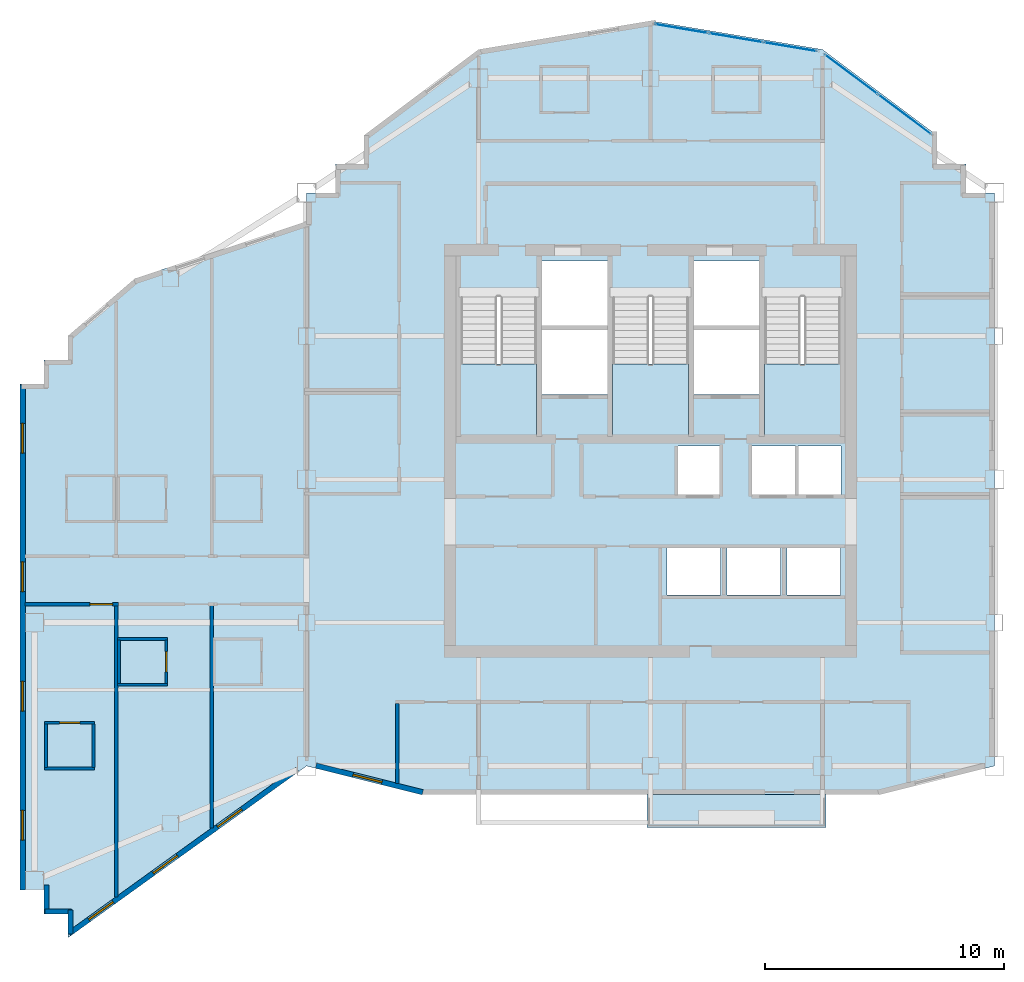
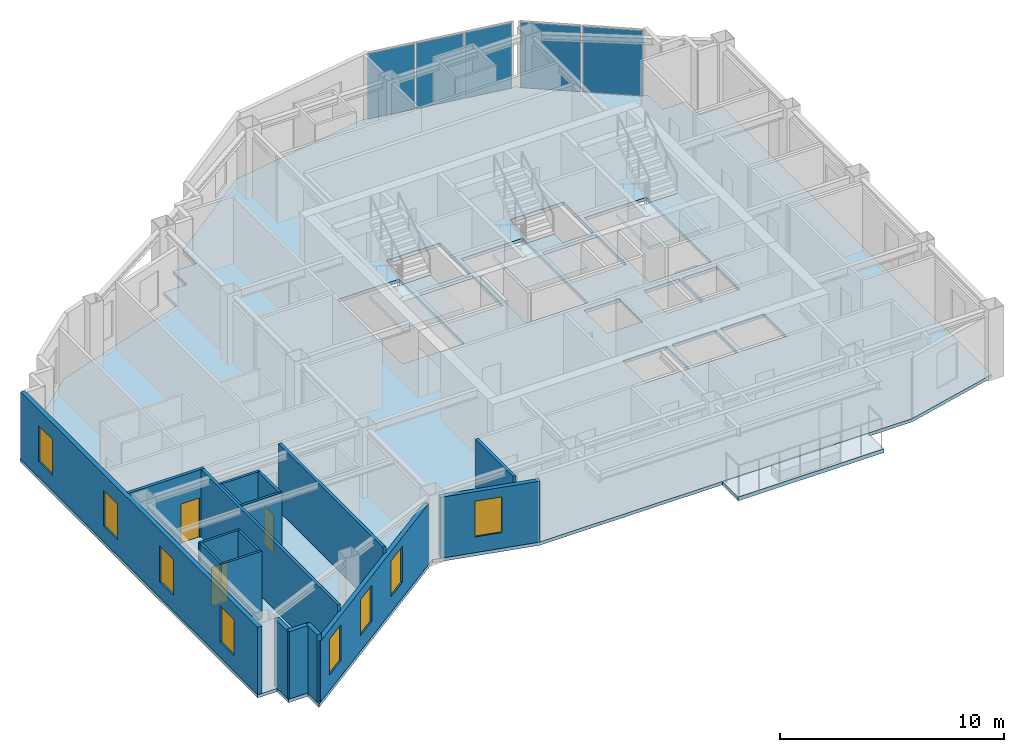
# One storey, part 4 of 10: 18 walls, 8 windows, 5 plates, 5 slabs, 3 doors, 11 openings, 5 elements without a shape of their own.
"""IFC4 building model written with IfcOpenShell, lengths in metres."""

from ifc_helpers import new_model, si_unit, direction, frame, frame_2d, origin, origin_2d, place, context, subcontext, project, spatial, polyline, rectangle, outline, extrude, material, layer, layer_set, type_object, element, fill, aggregate, save


model = new_model("IFC4")

# Units and contexts
model_context = context("Model", 3, precision=1e-05, world=origin(), true_north=direction((0.0, 1.0)))
body_context = subcontext(model_context, "Body", "Model", "MODEL_VIEW")
ifc_project = project(units=[si_unit("LENGTHUNIT", "METRE"), si_unit("AREAUNIT", "SQUARE_METRE"), si_unit("VOLUMEUNIT", "CUBIC_METRE"), si_unit("PLANEANGLEUNIT", "RADIAN"), si_unit("MASSUNIT", "GRAM", prefix="KILO")], contexts=[model_context])

# Site, building, storey
site_placement = place(None, origin())
site = spatial("IfcSite", under=ifc_project, at=site_placement, CompositionType="ELEMENT")
building_placement = place(site_placement, origin())
building = spatial("IfcBuilding", under=site, at=building_placement, Name="Haolan Belvedere Tower", CompositionType="ELEMENT")
storey_placement = place(building_placement, frame((0.0, 0.0, 258.300048828125)))
storey = spatial("IfcBuildingStorey", under=building, at=storey_placement, Name="L65", CompositionType="ELEMENT", Elevation=258.300048828125)

# Curtain wall, plates
ifc_material_1 = material(Name="Anodised champagne-silver aluminium 6063-T6 and Low-E glass", Category="aluminium")
ifc_layer_1 = layer(ifc_material_1, 0.14501953125, Name="Anodised champagne-silver aluminium 6063-T6 and Low-E glass")
ifc_layer_set_1 = layer_set([ifc_layer_1], Name="Anodised champagne-silver aluminium 6063-T6 and Low-E glass")
curtain_wall_type = type_object("IfcCurtainWallType", Name="CW-SYS-05", PredefinedType="NOTDEFINED", material=ifc_layer_set_1)
curtain_wall_1_placement = place(storey_placement, origin())
curtain_wall_1 = element("IfcCurtainWall", 1, at=curtain_wall_1_placement, inside=storey, type_object=curtain_wall_type, Name="L65 CW-SYS-05 ribbon curtain wall 8.1", PredefinedType="NOTDEFINED")
ifc_material_2 = material(Name="Double silver Low-E laminated insulating glass", Category="glass")
ifc_layer_2 = layer(ifc_material_2, 0.02197265625, Name="Double silver Low-E laminated insulating glass")
ifc_layer_set_2 = layer_set([ifc_layer_2], Name="Double silver Low-E laminated insulating glass")
plate_type = type_object("IfcPlateType", Name="CW-SYS-05-PNL", PredefinedType="CURTAIN_PANEL", material=ifc_layer_set_2)
plate_1_placement = place(storey_placement, frame((49.03955078125, 48.8828125, 0.0498046875), z_axis=(0.0, 0.0, 1.0), x_axis=(-0.799997871638, 0.600002837806, 0.0)))
plate_1 = element("IfcPlate", 2, at=plate_1_placement, type_object=plate_type, Name="CW-05 panel 1.1", PredefinedType="CURTAIN_PANEL", context=body_context, shape_type="SweptSolid", body=[
    extrude(rectangle(XDim=2.738037109375, YDim=0.02197265625, at=origin_2d()), origin(), (0.0, 0.0, 1.0), 3.570068359375),
])
plate_2_placement = place(storey_placement, frame((46.805908203125, 50.55810546875, 0.0498046875), z_axis=(0.0, 0.0, 1.0), x_axis=(-0.799997871638, 0.600002837806, 0.0)))
plate_2 = element("IfcPlate", 3, at=plate_2_placement, type_object=plate_type, Name="CW-05 panel 2.1", PredefinedType="CURTAIN_PANEL", context=body_context, shape_type="SweptSolid", body=[
    extrude(rectangle(XDim=2.738037109375, YDim=0.02197265625, at=origin_2d()), origin(), (0.0, 0.0, 1.0), 3.570068359375),
])
aggregate(curtain_wall_1, [plate_1, plate_2])

curtain_wall_2_placement = place(storey_placement, origin())
curtain_wall_2 = element("IfcCurtainWall", 4, at=curtain_wall_2_placement, inside=storey, type_object=curtain_wall_type, Name="L65 CW-SYS-05 ribbon curtain wall 9.1", PredefinedType="NOTDEFINED")
plate_3_placement = place(storey_placement, frame((44.257568359375, 51.712158203125, 0.0498046875), z_axis=(0.0, 0.0, 1.0), x_axis=(-0.98639276122, 0.164405962825, 0.0)))
plate_3 = element("IfcPlate", 5, at=plate_3_placement, type_object=plate_type, Name="CW-05 panel 1.1", PredefinedType="CURTAIN_PANEL", context=body_context, shape_type="SweptSolid", body=[
    extrude(rectangle(XDim=2.24365234375, YDim=0.02197265625, at=origin_2d()), origin(), (0.0, 0.0, 1.0), 3.570068359375),
])
plate_4_placement = place(storey_placement, frame((41.977783203125, 52.09228515625, 0.0498046875), z_axis=(0.0, 0.0, 1.0), x_axis=(-0.98639276122, 0.164405962825, 0.0)))
plate_4 = element("IfcPlate", 6, at=plate_4_placement, type_object=plate_type, Name="CW-05 panel 2.1", PredefinedType="CURTAIN_PANEL", context=body_context, shape_type="SweptSolid", body=[
    extrude(rectangle(XDim=2.270751953125, YDim=0.02197265625, at=origin_2d()), origin(), (0.0, 0.0, 1.0), 3.570068359375),
])
plate_5_placement = place(storey_placement, frame((39.697998046875, 52.47216796875, 0.0498046875), z_axis=(0.0, 0.0, 1.0), x_axis=(-0.98639276122, 0.164405962825, 0.0)))
plate_5 = element("IfcPlate", 7, at=plate_5_placement, type_object=plate_type, Name="CW-05 panel 3.1", PredefinedType="CURTAIN_PANEL", context=body_context, shape_type="SweptSolid", body=[
    extrude(rectangle(XDim=2.24365234375, YDim=0.02197265625, at=origin_2d()), origin(), (0.0, 0.0, 1.0), 3.570068359375),
])
aggregate(curtain_wall_2, [plate_3, plate_4, plate_5])

# Slabs
ifc_material_3 = material(Name="Concrete C40/50", Category="concrete")
ifc_layer_3 = layer(ifc_material_3, 0.2099609375, Name="Concrete C40/50")
ifc_layer_set_3 = layer_set([ifc_layer_3], Name="Concrete C40/50")
slab_type_1 = type_object("IfcSlabType", Name="SL-BAL-210", PredefinedType="FLOOR", material=ifc_layer_set_3)
slab_1_placement = place(storey_placement, frame((0.0, 0.0, -0.22998046875)))
element("IfcSlab", 8, at=slab_1_placement, inside=storey, type_object=slab_type_1, Name="L65 structural tree-planter balcony slab BAL-L65-S1", PredefinedType="FLOOR", context=body_context, shape_type="SweptSolid", body=[
    extrude(outline(polyline([(38.25, 19.02001953125), (45.75, 19.02001953125), (45.75, 20.39990234375), (38.25, 20.39990234375), (38.25, 19.02001953125)])), origin(), (0.0, 0.0, 1.0), 0.2099609375),
])
ifc_layer_4 = layer(ifc_material_3, 0.179931640625, Name="Concrete C40/50")
ifc_layer_set_4 = layer_set([ifc_layer_4], Name="Concrete C40/50")
slab_type_2 = type_object("IfcSlabType", Name="SL-FLR-180", PredefinedType="FLOOR", material=ifc_layer_set_4)
slab_2_placement = place(storey_placement, frame((0.0, 0.0, -0.179931640625)))
element("IfcSlab", 9, at=slab_2_placement, inside=storey, type_object=slab_type_2, Name="L65 structural floor slab", PredefinedType="FLOOR", context=body_context, shape_type="SweptSolid", body=[
    extrude(outline(polyline([(24.0, 21.60009765625), (28.800048828125, 20.39990234375), (48.0, 20.39990234375), (52.800048828125, 21.60009765625), (52.800048828125, 45.60009765625), (51.60009765625, 45.60009765625), (51.60009765625, 46.800048828125), (50.39990234375, 46.800048828125), (50.39990234375, 48.0), (45.60009765625, 51.60009765625), (38.39990234375, 52.800048828125), (31.199951171875, 51.60009765625), (26.39990234375, 48.0), (26.39990234375, 46.800048828125), (25.199951171875, 46.800048828125), (25.199951171875, 45.60009765625), (24.0, 45.60009765625), (24.0, 44.39990234375), (16.800048828125, 42.0), (14.0, 39.60009765625), (14.0, 38.60009765625), (13.0, 38.60009765625), (13.0, 37.60009765625), (12.0, 37.60009765625), (12.0, 16.800048828125), (12.0, 16.39990234375), (13.0, 16.39990234375), (13.0, 15.39990234375), (14.0, 15.39990234375), (14.0, 14.39990234375), (24.0, 21.60009765625)]), holes=[polyline([(30.449951171875, 41.22998046875), (30.449951171875, 35.449951171875), (33.6298828125, 35.449951171875), (33.6298828125, 41.22998046875), (30.449951171875, 41.22998046875)]), polyline([(36.81005859375, 41.22998046875), (36.81005859375, 35.449951171875), (39.989990234375, 35.449951171875), (39.989990234375, 41.22998046875), (36.81005859375, 41.22998046875)]), polyline([(43.169921875, 41.22998046875), (43.169921875, 35.449951171875), (46.35009765625, 35.449951171875), (46.35009765625, 41.22998046875), (43.169921875, 41.22998046875)]), polyline([(33.830078125, 40.050048828125), (36.610107421875, 40.050048828125), (36.610107421875, 42.75), (33.830078125, 42.75), (33.830078125, 40.050048828125)]), polyline([(33.830078125, 37.14990234375), (36.610107421875, 37.14990234375), (36.610107421875, 39.85009765625), (33.830078125, 39.85009765625), (33.830078125, 37.14990234375)]), polyline([(40.18994140625, 40.050048828125), (42.969970703125, 40.050048828125), (42.969970703125, 42.75), (40.18994140625, 42.75), (40.18994140625, 40.050048828125)]), polyline([(40.18994140625, 37.14990234375), (42.969970703125, 37.14990234375), (42.969970703125, 39.85009765625), (40.18994140625, 39.85009765625), (40.18994140625, 37.14990234375)]), polyline([(39.5400390625, 32.949951171875), (41.389892578125, 32.949951171875), (41.389892578125, 35.0), (39.5400390625, 35.0), (39.5400390625, 32.949951171875)]), polyline([(42.6201171875, 32.949951171875), (44.469970703125, 32.949951171875), (44.469970703125, 35.0), (42.6201171875, 35.0), (42.6201171875, 32.949951171875)]), polyline([(44.580078125, 32.949951171875), (46.3798828125, 32.949951171875), (46.3798828125, 35.0), (44.580078125, 35.0), (44.580078125, 32.949951171875)]), polyline([(39.10009765625, 28.75), (41.340087890625, 28.75), (41.340087890625, 30.75), (39.10009765625, 30.75), (39.10009765625, 28.75)]), polyline([(41.610107421875, 28.75), (43.85009765625, 28.75), (43.85009765625, 30.75), (41.610107421875, 30.75), (41.610107421875, 28.75)]), polyline([(44.1201171875, 28.75), (46.360107421875, 28.75), (46.360107421875, 30.75), (44.1201171875, 30.75), (44.1201171875, 28.75)])]), origin(), (0.0, 0.0, 1.0), 0.179931640625),
])

# Stair, slab
stair_type = type_object("IfcStairType", Name="STR-DL-22R-175", PredefinedType="HALF_TURN_STAIR", material=ifc_material_3)
stair_1_placement = place(storey_placement, origin())
stair_1 = element("IfcStair", 10, at=stair_1_placement, inside=storey, type_object=stair_type, Name="L65 Smokeproof Core Exit Stair ST1", PredefinedType="HALF_TURN_STAIR")
ifc_layer_5 = layer(ifc_material_3, 0.199951171875, Name="Concrete C40/50")
ifc_layer_set_5 = layer_set([ifc_layer_5], Name="Concrete C40/50")
slab_type_3 = type_object("IfcSlabType", Name="SL-LAND-200", PredefinedType="LANDING", material=ifc_layer_set_5)
slab_3_placement = place(storey_placement, frame((0.0, 0.0, 1.724853515625)))
slab_3 = element("IfcSlab", 11, at=slab_3_placement, type_object=slab_type_3, Name="ST1 landing 1", PredefinedType="LANDING", context=body_context, shape_type="SweptSolid", body=[
    extrude(outline(polyline([(30.449951171875, 38.429931640625), (30.449951171875, 35.449951171875), (33.6298828125, 35.449951171875), (33.6298828125, 38.429931640625), (30.449951171875, 38.429931640625)])), origin(), (0.0, 0.0, 1.0), 0.2001953125),
])
aggregate(stair_1, [slab_3])

stair_2_placement = place(storey_placement, origin())
stair_2 = element("IfcStair", 12, at=stair_2_placement, inside=storey, type_object=stair_type, Name="L65 Smokeproof Core Exit Stair ST3", PredefinedType="HALF_TURN_STAIR")
slab_4_placement = place(storey_placement, frame((0.0, 0.0, 1.724853515625)))
slab_4 = element("IfcSlab", 13, at=slab_4_placement, type_object=slab_type_3, Name="ST3 landing 1", PredefinedType="LANDING", context=body_context, shape_type="SweptSolid", body=[
    extrude(outline(polyline([(36.81005859375, 38.429931640625), (36.81005859375, 35.449951171875), (39.989990234375, 35.449951171875), (39.989990234375, 38.429931640625), (36.81005859375, 38.429931640625)])), origin(), (0.0, 0.0, 1.0), 0.2001953125),
])
aggregate(stair_2, [slab_4])

stair_3_placement = place(storey_placement, origin())
stair_3 = element("IfcStair", 14, at=stair_3_placement, inside=storey, type_object=stair_type, Name="L65 Smokeproof Core Exit Stair ST2", PredefinedType="HALF_TURN_STAIR")
slab_5_placement = place(storey_placement, frame((0.0, 0.0, 1.724853515625)))
slab_5 = element("IfcSlab", 15, at=slab_5_placement, type_object=slab_type_3, Name="ST2 landing 1", PredefinedType="LANDING", context=body_context, shape_type="SweptSolid", body=[
    extrude(outline(polyline([(43.169921875, 38.429931640625), (43.169921875, 35.449951171875), (46.35009765625, 35.449951171875), (46.35009765625, 38.429931640625), (43.169921875, 38.429931640625)])), origin(), (0.0, 0.0, 1.0), 0.2001953125),
])
aggregate(stair_3, [slab_5])

# Wall, openings, windows
ifc_material_4 = material(Name="Precast concrete C40/50", Category="concrete")
ifc_layer_6 = layer(ifc_material_4, 0.219970703125, Name="Precast concrete C40/50")
ifc_layer_set_6 = layer_set([ifc_layer_6], Name="Precast concrete C40/50")
wall_type_1 = type_object("IfcWallType", Name="WL-EXT-220", PredefinedType="SOLIDWALL", material=ifc_layer_set_6)
wall_1_placement = place(storey_placement, frame((12.110107421875, 37.544921875, 0.0), z_axis=(0.0, 0.0, 1.0), x_axis=(0.0, -1.0, 0.0)))
wall_1 = element("IfcWall", 16, at=wall_1_placement, inside=storey, type_object=wall_type_1, Name="L65 pale-metal exterior spandrel wall 23.1", PredefinedType="SOLIDWALL", context=body_context, shape_type="SweptSolid", body=[
    extrude(rectangle(XDim=21.14501953125, YDim=0.219970703125, at=frame_2d((10.572509765625, 0.0))), origin(), (0.0, 0.0, 1.0), 3.669921875),
])
opening_1_placement = place(wall_1_placement, frame((1.60009765625, 0.0, 0.85009765625)))
opening_1 = element("IfcOpeningElement", 17, at=opening_1_placement, cuts=wall_1, Name="Opening W-04", PredefinedType="OPENING", context=body_context, shape_type="SweptSolid", body=[
    extrude(rectangle(XDim=1.25, YDim=1.949951171875, at=frame_2d((0.625, 0.97509765625))), frame((0.0, 0.119873046875, 0.0), z_axis=(0.0, -1.0, 0.0), x_axis=(1.0, 0.0, 0.0)), (0.0, 0.0, 1.0), 0.239990234375),
])
opening_2_placement = place(wall_1_placement, frame((7.39990234375, 0.0, 0.85009765625)))
opening_2 = element("IfcOpeningElement", 18, at=opening_2_placement, cuts=wall_1, Name="Opening W-04", PredefinedType="OPENING", context=body_context, shape_type="SweptSolid", body=[
    extrude(rectangle(XDim=1.25, YDim=1.949951171875, at=frame_2d((0.625, 0.97509765625))), frame((0.0, 0.119873046875, 0.0), z_axis=(0.0, -1.0, 0.0), x_axis=(1.0, 0.0, 0.0)), (0.0, 0.0, 1.0), 0.239990234375),
])
opening_3_placement = place(wall_1_placement, frame((12.39990234375, 0.0, 0.85009765625)))
opening_3 = element("IfcOpeningElement", 19, at=opening_3_placement, cuts=wall_1, Name="Opening W-04", PredefinedType="OPENING", context=body_context, shape_type="SweptSolid", body=[
    extrude(rectangle(XDim=1.25, YDim=1.949951171875, at=frame_2d((0.625, 0.97509765625))), frame((0.0, 0.119873046875, 0.0), z_axis=(0.0, -1.0, 0.0), x_axis=(1.0, 0.0, 0.0)), (0.0, 0.0, 1.0), 0.239990234375),
])
opening_4_placement = place(wall_1_placement, frame((17.800048828125, 0.0, 0.85009765625)))
opening_4 = element("IfcOpeningElement", 20, at=opening_4_placement, cuts=wall_1, Name="Opening W-04", PredefinedType="OPENING", context=body_context, shape_type="SweptSolid", body=[
    extrude(rectangle(XDim=1.25, YDim=1.949951171875, at=frame_2d((0.625, 0.97509765625))), frame((0.0, 0.119873046875, 0.0), z_axis=(0.0, -1.0, 0.0), x_axis=(1.0, 0.0, 0.0)), (0.0, 0.0, 1.0), 0.239990234375),
])
ifc_material_5 = material(Name="Anodised aluminium 6063-T6 and Low-E glass", Category="aluminium")
window_type = type_object("IfcWindowType", Name="WN-DECO-Z4", PartitioningType="SINGLE_PANEL", PredefinedType="WINDOW", material=ifc_material_5)
window_1_placement = place(opening_1_placement, origin())
window_1 = element("IfcWindow", 21, at=window_1_placement, inside=storey, type_object=window_type, Name="L65 Art Deco chevron window 1", OverallHeight=1.949951171875, OverallWidth=1.25, PartitioningType="SINGLE_PANEL", PredefinedType="WINDOW", context=body_context, shape_type="SweptSolid", body=[
    extrude(rectangle(XDim=1.25, YDim=1.949951171875, at=frame_2d((0.625, 0.97509765625))), frame((0.0, 0.030029296875, 0.0), z_axis=(0.0, -1.0, 0.0), x_axis=(1.0, 0.0, 0.0)), (0.0, 0.0, 1.0), 0.06005859375),
])
fill(opening_1, window_1)
window_2_placement = place(opening_2_placement, origin())
window_2 = element("IfcWindow", 22, at=window_2_placement, inside=storey, type_object=window_type, Name="L65 Art Deco chevron window 2", OverallHeight=1.949951171875, OverallWidth=1.25, PartitioningType="SINGLE_PANEL", PredefinedType="WINDOW", context=body_context, shape_type="SweptSolid", body=[
    extrude(rectangle(XDim=1.25, YDim=1.949951171875, at=frame_2d((0.625, 0.97509765625))), frame((0.0, 0.030029296875, 0.0), z_axis=(0.0, -1.0, 0.0), x_axis=(1.0, 0.0, 0.0)), (0.0, 0.0, 1.0), 0.06005859375),
])
fill(opening_2, window_2)
window_3_placement = place(opening_3_placement, origin())
window_3 = element("IfcWindow", 23, at=window_3_placement, inside=storey, type_object=window_type, Name="L65 Art Deco chevron window 3", OverallHeight=1.949951171875, OverallWidth=1.25, PartitioningType="SINGLE_PANEL", PredefinedType="WINDOW", context=body_context, shape_type="SweptSolid", body=[
    extrude(rectangle(XDim=1.25, YDim=1.949951171875, at=frame_2d((0.625, 0.97509765625))), frame((0.0, 0.030029296875, 0.0), z_axis=(0.0, -1.0, 0.0), x_axis=(1.0, 0.0, 0.0)), (0.0, 0.0, 1.0), 0.06005859375),
])
fill(opening_3, window_3)
window_4_placement = place(opening_4_placement, origin())
window_4 = element("IfcWindow", 24, at=window_4_placement, inside=storey, type_object=window_type, Name="L65 Art Deco chevron window 4", OverallHeight=1.949951171875, OverallWidth=1.25, PartitioningType="SINGLE_PANEL", PredefinedType="WINDOW", context=body_context, shape_type="SweptSolid", body=[
    extrude(rectangle(XDim=1.25, YDim=1.949951171875, at=frame_2d((0.625, 0.97509765625))), frame((0.0, 0.030029296875, 0.0), z_axis=(0.0, -1.0, 0.0), x_axis=(1.0, 0.0, 0.0)), (0.0, 0.0, 1.0), 0.06005859375),
])
fill(opening_4, window_4)

# Walls
wall_2_placement = place(storey_placement, frame((13.110107421875, 16.6201171875, 0.0), z_axis=(0.0, 0.0, 1.0), x_axis=(0.0, -1.0, 0.0)))
element("IfcWall", 25, at=wall_2_placement, inside=storey, type_object=wall_type_1, Name="L65 pale-metal exterior spandrel wall 25.1", PredefinedType="SOLIDWALL", context=body_context, shape_type="SweptSolid", body=[
    extrude(rectangle(XDim=1.1650390625, YDim=0.219970703125, at=frame_2d((0.58251953125, 0.0))), origin(), (0.0, 0.0, 1.0), 3.669921875),
])
wall_3_placement = place(storey_placement, frame((13.054931640625, 15.510009765625, 0.0), z_axis=(0.0, 0.0, 1.0), x_axis=(1.0, 0.0, 0.0)))
element("IfcWall", 26, at=wall_3_placement, inside=storey, type_object=wall_type_1, Name="L65 pale-metal exterior spandrel wall 26.1", PredefinedType="SOLIDWALL", context=body_context, shape_type="SweptSolid", body=[
    extrude(rectangle(XDim=1.110107421875, YDim=0.219970703125, at=frame_2d((0.55517578125, 0.0))), origin(), (0.0, 0.0, 1.0), 3.669921875),
])
wall_4_placement = place(storey_placement, frame((14.110107421875, 15.56494140625, 0.0), z_axis=(0.0, 0.0, 1.0), x_axis=(0.0, -1.0, 0.0)))
element("IfcWall", 27, at=wall_4_placement, inside=storey, type_object=wall_type_1, Name="L65 pale-metal exterior spandrel wall 27.1", PredefinedType="SOLIDWALL", context=body_context, shape_type="SweptSolid", body=[
    extrude(rectangle(XDim=1.005126953125, YDim=0.219970703125, at=frame_2d((0.50244140625, 0.0))), origin(), (0.0, 0.0, 1.0), 3.669921875),
])

# Wall, openings, windows
wall_5_placement = place(storey_placement, frame((14.0654296875, 14.58251953125, 0.0), z_axis=(0.0, 0.0, 1.0), x_axis=(0.811523708458, 0.584319493608, 0.0)))
wall_5 = element("IfcWall", 28, at=wall_5_placement, inside=storey, type_object=wall_type_1, Name="L65 pale-metal exterior spandrel wall 28.1", PredefinedType="SOLIDWALL", context=body_context, shape_type="SweptSolid", body=[
    extrude(rectangle(XDim=11.7587890625, YDim=0.219970703125, at=frame_2d((5.87939453125, 0.0))), origin(), (0.0, 0.0, 1.0), 3.31494140625),
])
opening_5_placement = place(wall_5_placement, frame((1.00927734375, 0.0, 0.85009765625)))
opening_5 = element("IfcOpeningElement", 29, at=opening_5_placement, cuts=wall_5, Name="Opening W-04", PredefinedType="OPENING", context=body_context, shape_type="SweptSolid", body=[
    extrude(rectangle(XDim=1.25, YDim=1.949951171875, at=frame_2d((0.625, 0.97509765625))), frame((0.0, 0.119873046875, 0.0), z_axis=(0.0, -1.0, 0.0), x_axis=(1.0, 0.0, 0.0)), (0.0, 0.0, 1.0), 0.239990234375),
])
opening_6_placement = place(wall_5_placement, frame((7.64599609375, 0.0, 0.85009765625)))
opening_6 = element("IfcOpeningElement", 30, at=opening_6_placement, cuts=wall_5, Name="Opening W-04", PredefinedType="OPENING", context=body_context, shape_type="SweptSolid", body=[
    extrude(rectangle(XDim=1.25, YDim=1.949951171875, at=frame_2d((0.625, 0.97509765625))), frame((0.0, 0.119873046875, 0.0), z_axis=(0.0, -1.0, 0.0), x_axis=(1.0, 0.0, 0.0)), (0.0, 0.0, 1.0), 0.239990234375),
])
opening_7_placement = place(wall_5_placement, frame((4.32763671875, 0.0, 0.85009765625)))
opening_7 = element("IfcOpeningElement", 31, at=opening_7_placement, cuts=wall_5, Name="Opening W-04", PredefinedType="OPENING", context=body_context, shape_type="SweptSolid", body=[
    extrude(rectangle(XDim=1.25, YDim=1.949951171875, at=frame_2d((0.625, 0.97509765625))), frame((0.0, 0.119873046875, 0.0), z_axis=(0.0, -1.0, 0.0), x_axis=(1.0, 0.0, 0.0)), (0.0, 0.0, 1.0), 0.239990234375),
])
window_5_placement = place(opening_5_placement, origin())
window_5 = element("IfcWindow", 32, at=window_5_placement, inside=storey, type_object=window_type, Name="L65 Art Deco chevron window 1", OverallHeight=1.949951171875, OverallWidth=1.25, PartitioningType="SINGLE_PANEL", PredefinedType="WINDOW", context=body_context, shape_type="SweptSolid", body=[
    extrude(rectangle(XDim=1.25, YDim=1.949951171875, at=frame_2d((0.625, 0.97509765625))), frame((0.0, 0.030029296875, 0.0), z_axis=(0.0, -1.0, 0.0), x_axis=(1.0, 0.0, 0.0)), (0.0, 0.0, 1.0), 0.06005859375),
])
fill(opening_5, window_5)
window_6_placement = place(opening_6_placement, origin())
window_6 = element("IfcWindow", 33, at=window_6_placement, inside=storey, type_object=window_type, Name="L65 Art Deco chevron window 2", OverallHeight=1.949951171875, OverallWidth=1.25, PartitioningType="SINGLE_PANEL", PredefinedType="WINDOW", context=body_context, shape_type="SweptSolid", body=[
    extrude(rectangle(XDim=1.25, YDim=1.949951171875, at=frame_2d((0.625, 0.97509765625))), frame((0.0, 0.030029296875, 0.0), z_axis=(0.0, -1.0, 0.0), x_axis=(1.0, 0.0, 0.0)), (0.0, 0.0, 1.0), 0.06005859375),
])
fill(opening_6, window_6)
window_7_placement = place(opening_7_placement, origin())
window_7 = element("IfcWindow", 34, at=window_7_placement, inside=storey, type_object=window_type, Name="L65 Art Deco guestroom window 2", OverallHeight=1.949951171875, OverallWidth=1.25, PartitioningType="SINGLE_PANEL", PredefinedType="WINDOW", context=body_context, shape_type="SweptSolid", body=[
    extrude(rectangle(XDim=1.25, YDim=1.949951171875, at=frame_2d((0.625, 0.97509765625))), frame((0.0, 0.030029296875, 0.0), z_axis=(0.0, -1.0, 0.0), x_axis=(1.0, 0.0, 0.0)), (0.0, 0.0, 1.0), 0.06005859375),
])
fill(opening_7, window_7)

# Wall, opening, window
wall_6_placement = place(storey_placement, frame((24.39208984375, 21.615478515625, 0.0), z_axis=(0.0, 0.0, 1.0), x_axis=(0.970133159038, -0.242572986408, 0.0)))
wall_6 = element("IfcWall", 35, at=wall_6_placement, inside=storey, type_object=wall_type_1, Name="L65 pale-metal exterior spandrel wall 29.1", PredefinedType="SOLIDWALL", context=body_context, shape_type="SweptSolid", body=[
    extrude(rectangle(XDim=4.612548828125, YDim=0.219970703125, at=frame_2d((2.30615234375, 0.0))), origin(), (0.0, 0.0, 1.0), 3.31494140625),
])
opening_8_placement = place(wall_6_placement, frame((1.60009765625, 0.0, 0.85009765625)))
opening_8 = element("IfcOpeningElement", 36, at=opening_8_placement, cuts=wall_6, Name="Opening W-04", PredefinedType="OPENING", context=body_context, shape_type="SweptSolid", body=[
    extrude(rectangle(XDim=1.25, YDim=1.949951171875, at=frame_2d((0.625, 0.97509765625))), frame((0.0, 0.119873046875, 0.0), z_axis=(0.0, -1.0, 0.0), x_axis=(1.0, 0.0, 0.0)), (0.0, 0.0, 1.0), 0.239990234375),
])
window_8_placement = place(opening_8_placement, origin())
window_8 = element("IfcWindow", 37, at=window_8_placement, inside=storey, type_object=window_type, Name="L65 Art Deco chevron window 1", OverallHeight=1.949951171875, OverallWidth=1.25, PartitioningType="SINGLE_PANEL", PredefinedType="WINDOW", context=body_context, shape_type="SweptSolid", body=[
    extrude(rectangle(XDim=1.25, YDim=1.949951171875, at=frame_2d((0.625, 0.97509765625))), frame((0.0, 0.030029296875, 0.0), z_axis=(0.0, -1.0, 0.0), x_axis=(1.0, 0.0, 0.0)), (0.0, 0.0, 1.0), 0.06005859375),
])
fill(opening_8, window_8)

# Wall
ifc_material_6 = material(Name="Double gypsum acoustic stud partition", Category="masonry")
ifc_layer_7 = layer(ifc_material_6, 0.14990234375, Name="Double gypsum acoustic stud partition")
ifc_layer_set_7 = layer_set([ifc_layer_7], Name="Double gypsum acoustic stud partition")
wall_type_2 = type_object("IfcWallType", Name="WL-PART-150", PredefinedType="PARTITIONING", material=ifc_layer_set_7)
wall_7_placement = place(storey_placement, frame((27.800048828125, 20.868408203125, 0.0), z_axis=(0.0, 0.0, 1.0), x_axis=(0.0, 1.0, 0.0)))
element("IfcWall", 38, at=wall_7_placement, inside=storey, type_object=wall_type_2, Name="L65 interior partition IW-L65-KS2-W", PredefinedType="PARTITIONING", context=body_context, shape_type="SweptSolid", body=[
    extrude(rectangle(XDim=3.3515625, YDim=0.14990234375, at=frame_2d((1.67578125, 0.0))), origin(), (0.0, 0.0, 1.0), 3.669921875),
])

# Wall, opening, door
wall_8_placement = place(storey_placement, frame((12.2119140625, 28.3701171875, 0.0), z_axis=(0.0, 0.0, 1.0), x_axis=(1.0, 0.0, 0.0)))
wall_8 = element("IfcWall", 39, at=wall_8_placement, inside=storey, type_object=wall_type_2, Name="L65 interior partition IW-L65-T2S1-N", PredefinedType="PARTITIONING", context=body_context, shape_type="SweptSolid", body=[
    extrude(rectangle(XDim=3.91796875, YDim=0.14990234375, at=frame_2d((1.958984375, 0.0))), origin(), (0.0, 0.0, 1.0), 3.669921875),
])
opening_9_placement = place(wall_8_placement, frame((3.663330078125, 0.0, 0.0), z_axis=(0.0, 0.0, 1.0), x_axis=(-1.0, 0.0, 0.0)))
opening_9 = element("IfcOpeningElement", 40, at=opening_9_placement, cuts=wall_8, Name="Opening ID-02", PredefinedType="OPENING", context=body_context, shape_type="SweptSolid", body=[
    extrude(rectangle(XDim=0.949951171875, YDim=2.14990234375, at=frame_2d((0.47509765625, 1.074951171875))), frame((0.0, 0.0849609375, 0.0), z_axis=(0.0, -1.0, 0.0), x_axis=(1.0, 0.0, 0.0)), (0.0, 0.0, 1.0), 0.169921875),
])
ifc_material_7 = material(Name="Acoustic oak veneer fire-rated timber", Category="wood")
door_type_1 = type_object("IfcDoorType", Name="DR-GUEST-950", OperationType="NOTDEFINED", PredefinedType="DOOR", material=ifc_material_7)
door_1_placement = place(opening_9_placement, origin())
door_1 = element("IfcDoor", 41, at=door_1_placement, inside=storey, type_object=door_type_1, Name="L65 door ID-L65-T2S1-ENT", OperationType="SINGLE_SWING_LEFT", OverallHeight=2.14990234375, OverallWidth=0.949951171875, PredefinedType="DOOR", context=body_context, shape_type="SweptSolid", body=[
    extrude(rectangle(XDim=0.949951171875, YDim=2.14990234375, at=frame_2d((0.47509765625, 1.074951171875))), frame((0.0, 0.02490234375, 0.0), z_axis=(0.0, -1.0, 0.0), x_axis=(1.0, 0.0, 0.0)), (0.0, 0.0, 1.0), 0.050048828125),
])
fill(opening_9, door_1)

# Walls
wall_9_placement = place(storey_placement, frame((16.030029296875, 16.122802734375, 0.0), z_axis=(0.0, 0.0, 1.0), x_axis=(0.0, 1.0, 0.0)))
element("IfcWall", 42, at=wall_9_placement, inside=storey, type_object=wall_type_2, Name="L65 interior partition IW-L65-T2S1-E", PredefinedType="PARTITIONING", context=body_context, shape_type="SweptSolid", body=[
    extrude(rectangle(XDim=12.187255859375, YDim=0.14990234375, at=frame_2d((6.09375, 0.0))), origin(), (0.0, 0.0, 1.0), 3.669921875),
])
wall_10_placement = place(storey_placement, frame((20.02001953125, 18.99560546875, 0.0), z_axis=(0.0, 0.0, 1.0), x_axis=(0.0, 1.0, 0.0)))
element("IfcWall", 43, at=wall_10_placement, inside=storey, type_object=wall_type_2, Name="L65 interior partition IW-L65-T2S2-E", PredefinedType="PARTITIONING", context=body_context, shape_type="SweptSolid", body=[
    extrude(rectangle(XDim=9.314453125, YDim=0.14990234375, at=frame_2d((4.6572265625, 0.0))), origin(), (0.0, 0.0, 1.0), 3.669921875),
])

# Wall, opening, door
ifc_material_8 = material(Name="Moisture-resistant gypsum tile partition", Category="masonry")
ifc_layer_8 = layer(ifc_material_8, 0.1201171875, Name="Moisture-resistant gypsum tile partition")
ifc_layer_set_8 = layer_set([ifc_layer_8], Name="Moisture-resistant gypsum tile partition")
wall_type_3 = type_object("IfcWallType", Name="WL-WET-120", PredefinedType="PARTITIONING", material=ifc_layer_set_8)
wall_11_placement = place(storey_placement, frame((13.030029296875, 23.409912109375, 0.0), z_axis=(0.0, 0.0, 1.0), x_axis=(1.0, 0.0, 0.0)))
wall_11 = element("IfcWall", 44, at=wall_11_placement, inside=storey, type_object=wall_type_3, Name="L65 interior partition IW-L65-T2S1-BN", PredefinedType="PARTITIONING", context=body_context, shape_type="SweptSolid", body=[
    extrude(rectangle(XDim=2.099853515625, YDim=0.1201171875, at=frame_2d((1.0498046875, 0.0))), origin(), (0.0, 0.0, 1.0), 3.669921875),
])
opening_10_placement = place(wall_11_placement, frame((1.47509765625, 0.0, 0.0), z_axis=(0.0, 0.0, 1.0), x_axis=(-1.0, 0.0, 0.0)))
opening_10 = element("IfcOpeningElement", 45, at=opening_10_placement, cuts=wall_11, Name="Opening ID-05", PredefinedType="OPENING", context=body_context, shape_type="SweptSolid", body=[
    extrude(rectangle(XDim=0.85009765625, YDim=2.10009765625, at=frame_2d((0.425048828125, 1.050048828125))), frame((0.0, 0.070068359375, 0.0), z_axis=(0.0, -1.0, 0.0), x_axis=(1.0, 0.0, 0.0)), (0.0, 0.0, 1.0), 0.14013671875),
])
ifc_material_9 = material(Name="Moisture-resistant lacquered timber", Category="wood")
door_type_2 = type_object("IfcDoorType", Name="DR-BATH-850", OperationType="NOTDEFINED", PredefinedType="DOOR", material=ifc_material_9)
door_2_placement = place(opening_10_placement, origin())
door_2 = element("IfcDoor", 46, at=door_2_placement, inside=storey, type_object=door_type_2, Name="L65 door ID-L65-T2S1-BATH", OperationType="SINGLE_SWING_RIGHT", OverallHeight=2.10009765625, OverallWidth=0.85009765625, PredefinedType="DOOR", context=body_context, shape_type="SweptSolid", body=[
    extrude(rectangle(XDim=0.85009765625, YDim=2.10009765625, at=frame_2d((0.425048828125, 1.050048828125))), frame((0.0, 0.02490234375, 0.0), z_axis=(0.0, -1.0, 0.0), x_axis=(1.0, 0.0, 0.0)), (0.0, 0.0, 1.0), 0.050048828125),
])
fill(opening_10, door_2)

# Walls
wall_12_placement = place(storey_placement, frame((13.030029296875, 21.489990234375, 0.0), z_axis=(0.0, 0.0, 1.0), x_axis=(1.0, 0.0, 0.0)))
element("IfcWall", 47, at=wall_12_placement, inside=storey, type_object=wall_type_3, Name="L65 interior partition IW-L65-T2S1-BS", PredefinedType="PARTITIONING", context=body_context, shape_type="SweptSolid", body=[
    extrude(rectangle(XDim=2.099853515625, YDim=0.1201171875, at=frame_2d((1.0498046875, 0.0))), origin(), (0.0, 0.0, 1.0), 3.669921875),
])
for number, where, z_axis, x_axis, name in (
    (48, (13.090087890625, 21.534912109375, 0.0), (0.0, 0.0, 1.0), (0.0, 1.0, 0.0), "L65 interior partition IW-L65-T2S1-BW"),
    (49, (15.070068359375, 21.534912109375, 0.0), (0.0, 0.0, 1.0), (0.0, 1.0, 0.0), "L65 interior partition IW-L65-T2S1-BE"),
):
    element("IfcWall", number, at=place(storey_placement, frame(where, z_axis=z_axis, x_axis=x_axis)), inside=storey, type_object=wall_type_3, Name=name, PredefinedType="PARTITIONING", context=body_context, shape_type="SweptSolid", body=[
        extrude(rectangle(XDim=1.830078125, YDim=0.1201171875, at=frame_2d((0.9150390625, 0.0))), origin(), (0.0, 0.0, 1.0), 3.669921875),
    ])
for number, where, z_axis, x_axis, name in (
    (50, (16.090087890625, 26.919921875, 0.0), (0.0, 0.0, 1.0), (1.0, 0.0, 0.0), "L65 interior partition IW-L65-T2S2-BN"),
    (51, (16.090087890625, 25.0, 0.0), (0.0, 0.0, 1.0), (1.0, 0.0, 0.0), "L65 interior partition IW-L65-T2S2-BS"),
):
    element("IfcWall", number, at=place(storey_placement, frame(where, z_axis=z_axis, x_axis=x_axis)), inside=storey, type_object=wall_type_3, Name=name, PredefinedType="PARTITIONING", context=body_context, shape_type="SweptSolid", body=[
        extrude(rectangle(XDim=2.094970703125, YDim=0.1201171875, at=frame_2d((1.04736328125, 0.0))), origin(), (0.0, 0.0, 1.0), 3.669921875),
    ])
wall_13_placement = place(storey_placement, frame((16.14501953125, 25.044921875, 0.0), z_axis=(0.0, 0.0, 1.0), x_axis=(0.0, 1.0, 0.0)))
element("IfcWall", 52, at=wall_13_placement, inside=storey, type_object=wall_type_3, Name="L65 interior partition IW-L65-T2S2-BW", PredefinedType="PARTITIONING", context=body_context, shape_type="SweptSolid", body=[
    extrude(rectangle(XDim=1.830078125, YDim=0.1201171875, at=frame_2d((0.9150390625, 0.0))), origin(), (0.0, 0.0, 1.0), 3.669921875),
])

# Wall, opening, door
wall_14_placement = place(storey_placement, frame((18.125, 25.044921875, 0.0), z_axis=(0.0, 0.0, 1.0), x_axis=(0.0, 1.0, 0.0)))
wall_14 = element("IfcWall", 53, at=wall_14_placement, inside=storey, type_object=wall_type_3, Name="L65 interior partition IW-L65-T2S2-BE", PredefinedType="PARTITIONING", context=body_context, shape_type="SweptSolid", body=[
    extrude(rectangle(XDim=1.830078125, YDim=0.1201171875, at=frame_2d((0.9150390625, 0.0))), origin(), (0.0, 0.0, 1.0), 3.669921875),
])
opening_11_placement = place(wall_14_placement, frame((0.489990234375, 0.0, 0.0)))
opening_11 = element("IfcOpeningElement", 54, at=opening_11_placement, cuts=wall_14, Name="Opening ID-05", PredefinedType="OPENING", context=body_context, shape_type="SweptSolid", body=[
    extrude(rectangle(XDim=0.85009765625, YDim=2.10009765625, at=frame_2d((0.425048828125, 1.050048828125))), frame((0.0, 0.070068359375, 0.0), z_axis=(0.0, -1.0, 0.0), x_axis=(1.0, 0.0, 0.0)), (0.0, 0.0, 1.0), 0.14013671875),
])
door_3_placement = place(opening_11_placement, origin())
door_3 = element("IfcDoor", 55, at=door_3_placement, inside=storey, type_object=door_type_2, Name="L65 door ID-L65-T2S2-BATH", OperationType="SINGLE_SWING_LEFT", OverallHeight=2.10009765625, OverallWidth=0.85009765625, PredefinedType="DOOR", context=body_context, shape_type="SweptSolid", body=[
    extrude(rectangle(XDim=0.85009765625, YDim=2.10009765625, at=frame_2d((0.425048828125, 1.050048828125))), frame((0.0, 0.02490234375, 0.0), z_axis=(0.0, -1.0, 0.0), x_axis=(1.0, 0.0, 0.0)), (0.0, 0.0, 1.0), 0.050048828125),
])
fill(opening_11, door_3)

save(model, "model.ifc")
